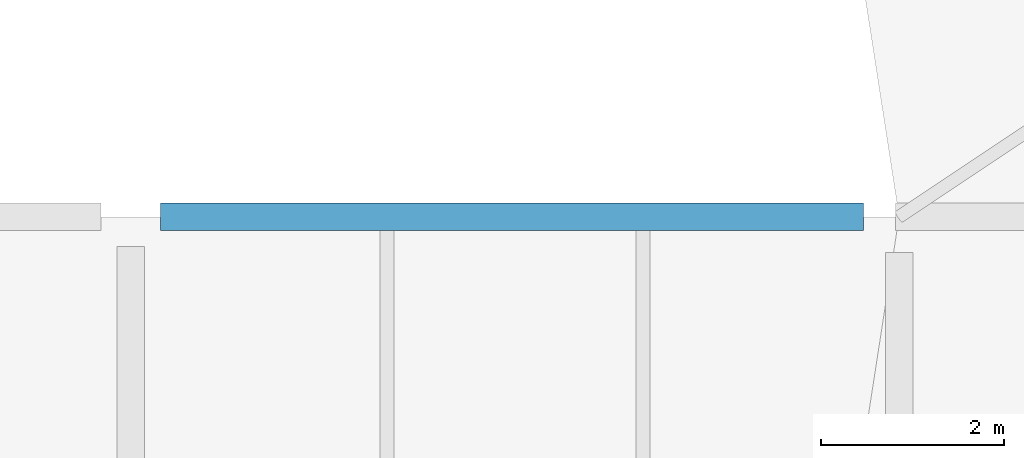
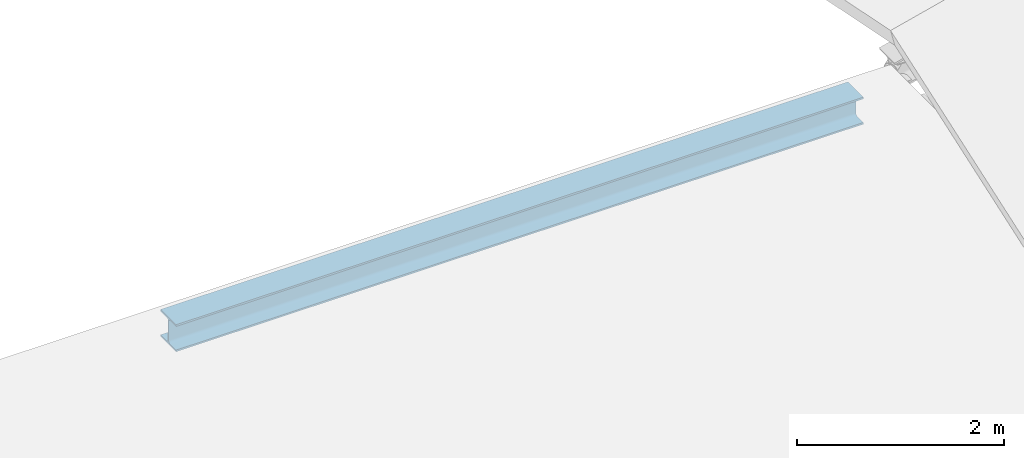
# One storey, part 50 of 95: 1 beam.
"""IFC4 building model written with IfcOpenShell, lengths in metres."""

from ifc_helpers import new_model, si_unit, direction, frame, origin, origin_2d, place, context, subcontext, project, spatial, i_section, extrude, material, material_profile, profile_set, type_object, element, save


model = new_model("IFC4")

# Units and contexts
model_context = context("Model", 3, precision=1e-05, world=origin(), true_north=direction((0.0, 1.0)))
body_context = subcontext(model_context, "Body", "Model", "MODEL_VIEW")
ifc_project = project(units=[si_unit("LENGTHUNIT", "METRE"), si_unit("AREAUNIT", "SQUARE_METRE"), si_unit("VOLUMEUNIT", "CUBIC_METRE"), si_unit("PLANEANGLEUNIT", "RADIAN"), si_unit("MASSUNIT", "GRAM", prefix="KILO"), si_unit("THERMODYNAMICTEMPERATUREUNIT", "KELVIN"), si_unit("POWERUNIT", "WATT")], contexts=[model_context])

# Site, building, storey
site_placement = place(None, origin())
site = spatial("IfcSite", under=ifc_project, at=site_placement, CompositionType="ELEMENT")
building_placement = place(site_placement, origin())
building = spatial("IfcBuilding", under=site, at=building_placement, Name="Mavoryth Pier Ferry Terminal", CompositionType="ELEMENT")
storey_placement = place(building_placement, frame((0.0, 0.0, 9.60009765625)))
storey = spatial("IfcBuildingStorey", under=building, at=storey_placement, Name="L02", CompositionType="ELEMENT", Elevation=9.60009765625)

# Beam
ifc_material = material(Name="Steel S355J2", Category="steel")
ifc_material_profile = material_profile(ifc_material, i_section(OverallWidth=0.300048828125, OverallDepth=0.320068359375, WebThickness=0.011474609375, FlangeThickness=0.0205078125, FilletRadius=0.027099609375, at=origin_2d()), Name="HEB 320", Category="steel")
ifc_profile_set = profile_set([ifc_material_profile], Name="Steel S355J2 - HEB 320")
beam_type = type_object("IfcBeamType", Name="Spandrel-Steel-HEB320", PredefinedType="SPANDREL", material=ifc_profile_set)
beam_placement = place(storey_placement, frame((42.324951171875, 97.60009765625, -0.320068359375), z_axis=(1.0, 0.0, 0.0), x_axis=(0.0, 1.0, 0.0)))
element("IfcBeam", 1, at=beam_placement, inside=storey, type_object=beam_type, Name="Beam B02-SP04-0690", PredefinedType="SPANDREL", context=body_context, shape_type="SweptSolid", body=[
    extrude(i_section(OverallWidth=0.300048828125, OverallDepth=0.320068359375, WebThickness=0.011474609375, FlangeThickness=0.0205078125, FilletRadius=0.027099609375, at=origin_2d()), origin(), (0.0, 0.0, 1.0), 7.68505859375),
])

save(model, "model.ifc")
